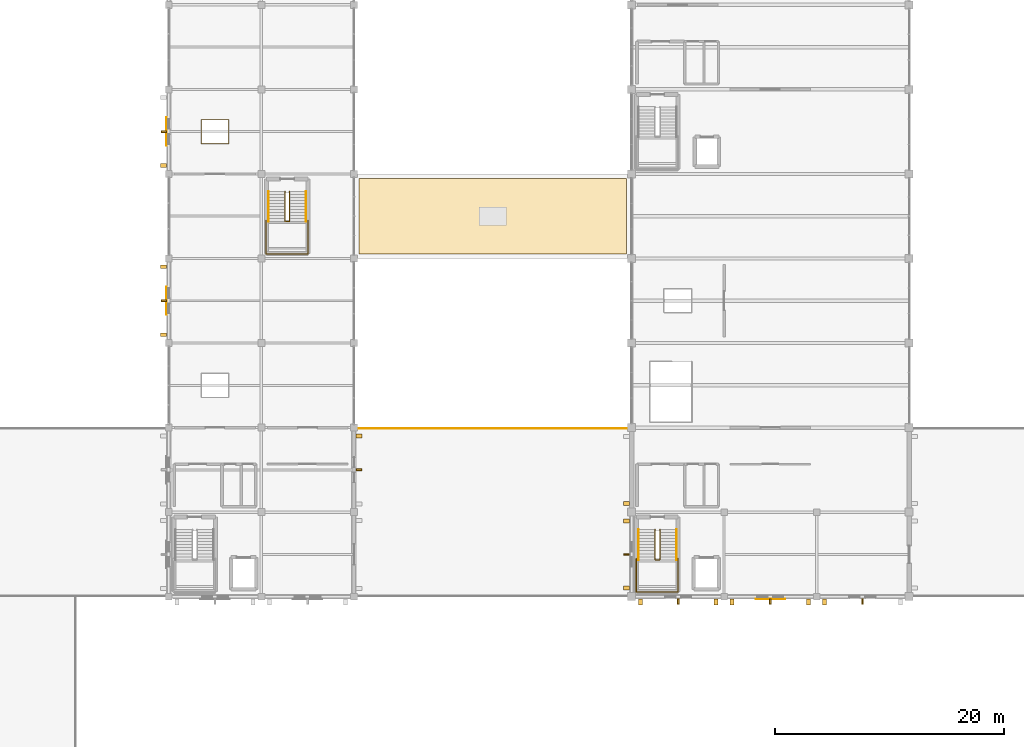
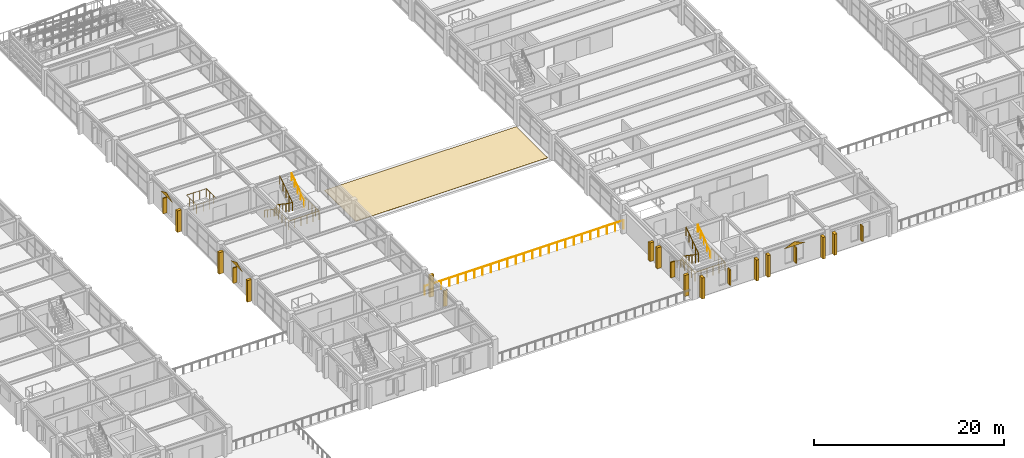
# One storey, part 113 of 121: 19 shading devices, 10 railings, 4 coverings.
"""IFC4 building model written with IfcOpenShell, lengths in metres."""

from ifc_helpers import new_model, si_unit, direction, frame, origin, origin_2d, place, context, subcontext, project, spatial, polyline, rectangle, circle, outline, extrude, material, layer, layer_set, type_object, element, save


model = new_model("IFC4")

# Units and contexts
model_context = context("Model", 3, precision=1e-05, world=origin(), true_north=direction((0.0, 1.0)))
body_context = subcontext(model_context, "Body", "Model", "MODEL_VIEW")
ifc_project = project(units=[si_unit("LENGTHUNIT", "METRE"), si_unit("AREAUNIT", "SQUARE_METRE"), si_unit("VOLUMEUNIT", "CUBIC_METRE"), si_unit("PLANEANGLEUNIT", "RADIAN"), si_unit("MASSUNIT", "GRAM", prefix="KILO")], contexts=[model_context])

# Site, building, storey
site_placement = place(None, origin())
site = spatial("IfcSite", under=ifc_project, at=site_placement, CompositionType="ELEMENT")
building_placement = place(site_placement, origin())
building = spatial("IfcBuilding", under=site, at=building_placement, Name="Cimatlan Art Gallery", CompositionType="ELEMENT")
storey_placement = place(building_placement, frame((0.0, 0.0, 10.199951171875)))
storey = spatial("IfcBuildingStorey", under=building, at=storey_placement, Name="L02", CompositionType="ELEMENT", Elevation=10.199951171875)

# Coverings
ifc_material_1 = material(Name="Queretaro cantera limestone ashlar hood-mould", Category="masonry")
ifc_layer_1 = layer(ifc_material_1, 0.0419921875)
ifc_layer_set_1 = layer_set([ifc_layer_1], Name="Queretaro cantera limestone ashlar hood-mould")
covering_type_1 = type_object("IfcCoveringType", Name="COV-CLAD-CANTERA-42", PredefinedType="CLADDING", material=ifc_layer_set_1)
for number, where, z_axis, x_axis, name in (
    (1, (34.221923828125, 48.56005859375, 2.6201171875), (1.0, 0.0, 0.0), (0.0, 1.0, 0.0), "CLD-049"),
    (2, (34.221923828125, 63.360107421875, 2.6201171875), (1.0, 0.0, 0.0), (0.0, 1.0, 0.0), "CLD-050"),
):
    element("IfcCovering", number, at=place(storey_placement, frame(where, z_axis=z_axis, x_axis=x_axis)), inside=storey, type_object=covering_type_1, Name=name, PredefinedType="CLADDING", context=body_context, shape_type="SweptSolid", body=[
        extrude(outline(polyline([(0.0, 0.0), (2.47998046875, 0.0), (1.239990234375, 0.52001953125), (0.0, 0.0)])), origin(), (0.0, 0.0, -1.0), 0.0419921875),
    ])
covering_1_placement = place(storey_placement, frame((88.330078125, 23.721923828125, 2.610107421875), z_axis=(0.0, 1.0, 0.0), x_axis=(-1.0, 0.0, 0.0)))
element("IfcCovering", 3, at=covering_1_placement, inside=storey, type_object=covering_type_1, Name="CLD-053", PredefinedType="CLADDING", context=body_context, shape_type="SweptSolid", body=[
    extrude(outline(polyline([(0.0, 0.0), (2.56005859375, 0.0), (1.280029296875, 0.52001953125), (0.0, 0.0)])), origin(), (0.0, 0.0, -1.0), 0.0419921875),
])
ifc_material_2 = material(Name="Standing-seam patinated zinc roofing")
ifc_layer_2 = layer(ifc_material_2, 0.02490234375)
ifc_layer_set_2 = layer_set([ifc_layer_2], Name="Standing-seam patinated zinc roofing")
covering_type_2 = type_object("IfcCoveringType", Name="COV-ROOF-ZINC-25", PredefinedType="ROOFING", material=ifc_layer_set_2)
covering_2_placement = place(storey_placement, frame((62.75, 57.199951171875, 0.0), z_axis=(0.0, 0.0, 1.0), x_axis=(1.0, 0.0, 0.0)))
element("IfcCovering", 4, at=covering_2_placement, inside=storey, type_object=covering_type_2, Name="RFG-BRG-SC", PredefinedType="ROOFING", context=body_context, shape_type="SweptSolid", body=[
    extrude(rectangle(XDim=23.39990234375, YDim=6.60009765625, at=origin_2d()), origin(), (0.0, 0.0, 1.0), 0.02490234375),
])

# Railings
ifc_material_3 = material(Name="Anodised bronze and laminated glass balustrade", Category="glass")
railing_type_1 = type_object("IfcRailingType", Name="RL-BAL-EXT-1100", PredefinedType="BALUSTRADE", material=ifc_material_3)
railing_1_placement = place(storey_placement, frame((50.639892578125, 38.6201171875, 0.0)))
element("IfcRailing", 5, at=railing_1_placement, inside=storey, type_object=railing_type_1, Name="GR-TER-09", PredefinedType="BALUSTRADE", context=body_context, shape_type="SweptSolid", body=[
    extrude(circle(Radius=0.02587890625, at=origin_2d()), frame((0.0, 0.0, 1.09423828125), z_axis=(1.0, 0.0, 0.0), x_axis=(0.0, 1.0, 0.0)), (0.0, 0.0, 1.0), 24.22021484375),
    extrude(circle(Radius=0.02099609375, at=origin_2d()), origin(), (0.0, 0.0, 1.0), 1.068115234375),
    extrude(circle(Radius=0.02099609375, at=origin_2d()), frame((1.00927734375, 0.0, 0.0)), (0.0, 0.0, 1.0), 1.068115234375),
    extrude(circle(Radius=0.02099609375, at=origin_2d()), frame((2.018310546875, 0.0, 0.0)), (0.0, 0.0, 1.0), 1.068115234375),
    extrude(circle(Radius=0.02099609375, at=origin_2d()), frame((3.027587890625, 0.0, 0.0)), (0.0, 0.0, 1.0), 1.068115234375),
    extrude(circle(Radius=0.02099609375, at=origin_2d()), frame((4.03662109375, 0.0, 0.0)), (0.0, 0.0, 1.0), 1.068115234375),
    extrude(circle(Radius=0.02099609375, at=origin_2d()), frame((5.0458984375, 0.0, 0.0)), (0.0, 0.0, 1.0), 1.068115234375),
    extrude(circle(Radius=0.02099609375, at=origin_2d()), frame((6.05517578125, 0.0, 0.0)), (0.0, 0.0, 1.0), 1.068115234375),
    extrude(circle(Radius=0.02099609375, at=origin_2d()), frame((7.064208984375, 0.0, 0.0)), (0.0, 0.0, 1.0), 1.068115234375),
    extrude(circle(Radius=0.02099609375, at=origin_2d()), frame((8.073486328125, 0.0, 0.0)), (0.0, 0.0, 1.0), 1.068115234375),
    extrude(circle(Radius=0.02099609375, at=origin_2d()), frame((9.08251953125, 0.0, 0.0)), (0.0, 0.0, 1.0), 1.068115234375),
    extrude(circle(Radius=0.02099609375, at=origin_2d()), frame((10.091796875, 0.0, 0.0)), (0.0, 0.0, 1.0), 1.068115234375),
    extrude(circle(Radius=0.02099609375, at=origin_2d()), frame((11.100830078125, 0.0, 0.0)), (0.0, 0.0, 1.0), 1.068115234375),
    extrude(circle(Radius=0.02099609375, at=origin_2d()), frame((12.110107421875, 0.0, 0.0)), (0.0, 0.0, 1.0), 1.068115234375),
    extrude(circle(Radius=0.02099609375, at=origin_2d()), frame((13.119384765625, 0.0, 0.0)), (0.0, 0.0, 1.0), 1.068115234375),
    extrude(circle(Radius=0.02099609375, at=origin_2d()), frame((14.12841796875, 0.0, 0.0)), (0.0, 0.0, 1.0), 1.068115234375),
    extrude(circle(Radius=0.02099609375, at=origin_2d()), frame((15.1376953125, 0.0, 0.0)), (0.0, 0.0, 1.0), 1.068115234375),
    extrude(circle(Radius=0.02099609375, at=origin_2d()), frame((16.146728515625, 0.0, 0.0)), (0.0, 0.0, 1.0), 1.068115234375),
    extrude(circle(Radius=0.02099609375, at=origin_2d()), frame((17.156005859375, 0.0, 0.0)), (0.0, 0.0, 1.0), 1.068115234375),
    extrude(circle(Radius=0.02099609375, at=origin_2d()), frame((18.1650390625, 0.0, 0.0)), (0.0, 0.0, 1.0), 1.068115234375),
    extrude(circle(Radius=0.02099609375, at=origin_2d()), frame((19.17431640625, 0.0, 0.0)), (0.0, 0.0, 1.0), 1.068115234375),
    extrude(circle(Radius=0.02099609375, at=origin_2d()), frame((20.18359375, 0.0, 0.0)), (0.0, 0.0, 1.0), 1.068115234375),
    extrude(circle(Radius=0.02099609375, at=origin_2d()), frame((21.192626953125, 0.0, 0.0)), (0.0, 0.0, 1.0), 1.068115234375),
    extrude(circle(Radius=0.02099609375, at=origin_2d()), frame((22.201904296875, 0.0, 0.0)), (0.0, 0.0, 1.0), 1.068115234375),
    extrude(circle(Radius=0.02099609375, at=origin_2d()), frame((23.2109375, 0.0, 0.0)), (0.0, 0.0, 1.0), 1.068115234375),
    extrude(circle(Radius=0.02099609375, at=origin_2d()), frame((24.22021484375, 0.0, 0.0)), (0.0, 0.0, 1.0), 1.068115234375),
])
ifc_material_4 = material(Name="Painted steel and bronze interior balustrade", Category="steel")
railing_type_2 = type_object("IfcRailingType", Name="RL-BAL-INT-1120", PredefinedType="BALUSTRADE", material=ifc_material_4)
railing_2_placement = place(storey_placement, frame((75.31005859375, 27.239990234375, 1.800048828125)))
element("IfcRailing", 6, at=railing_2_placement, inside=storey, type_object=railing_type_2, Name="STR-C3-L02-LGRD", PredefinedType="BALUSTRADE", context=body_context, shape_type="SweptSolid", body=[
    extrude(circle(Radius=0.02392578125, at=origin_2d()), frame((0.0, 0.0, 1.09619140625), z_axis=(0.0, -1.0, 0.0), x_axis=(1.0, 0.0, 0.0)), (0.0, 0.0, 1.0), 2.929931640625),
    extrude(circle(Radius=0.02392578125, at=origin_2d()), frame((0.0, -2.929931640625, 1.09619140625), z_axis=(1.0, 0.0, 0.0), x_axis=(0.0, 1.0, 0.0)), (0.0, 0.0, 1.0), 3.669921875),
    extrude(circle(Radius=0.02392578125, at=origin_2d()), frame((3.669921875, -2.929931640625, 1.09619140625), z_axis=(0.0, 1.0, 0.0), x_axis=(-1.0, 0.0, 0.0)), (0.0, 0.0, 1.0), 2.929931640625),
    extrude(circle(Radius=0.02001953125, at=origin_2d()), origin(), (0.0, 0.0, 1.0), 1.072021484375),
    extrude(circle(Radius=0.02001953125, at=origin_2d()), frame((0.0, -0.732421875, 0.0)), (0.0, 0.0, 1.0), 1.072021484375),
    extrude(circle(Radius=0.02001953125, at=origin_2d()), frame((0.0, -1.46484375, 0.0)), (0.0, 0.0, 1.0), 1.072021484375),
    extrude(circle(Radius=0.02001953125, at=origin_2d()), frame((0.0, -2.197509765625, 0.0)), (0.0, 0.0, 1.0), 1.072021484375),
    extrude(circle(Radius=0.02001953125, at=origin_2d()), frame((0.0, -2.929931640625, 0.0)), (0.0, 0.0, 1.0), 1.072021484375),
    extrude(circle(Radius=0.02001953125, at=origin_2d()), frame((0.73388671875, -2.929931640625, 0.0)), (0.0, 0.0, 1.0), 1.072021484375),
    extrude(circle(Radius=0.02001953125, at=origin_2d()), frame((1.468017578125, -2.929931640625, 0.0)), (0.0, 0.0, 1.0), 1.072021484375),
    extrude(circle(Radius=0.02001953125, at=origin_2d()), frame((2.201904296875, -2.929931640625, 0.0)), (0.0, 0.0, 1.0), 1.072021484375),
    extrude(circle(Radius=0.02001953125, at=origin_2d()), frame((2.93603515625, -2.929931640625, 0.0)), (0.0, 0.0, 1.0), 1.072021484375),
    extrude(circle(Radius=0.02001953125, at=origin_2d()), frame((3.669921875, -2.929931640625, 0.0)), (0.0, 0.0, 1.0), 1.072021484375),
    extrude(circle(Radius=0.02001953125, at=origin_2d()), frame((3.669921875, -2.197509765625, 0.0)), (0.0, 0.0, 1.0), 1.072021484375),
    extrude(circle(Radius=0.02001953125, at=origin_2d()), frame((3.669921875, -1.46484375, 0.0)), (0.0, 0.0, 1.0), 1.072021484375),
    extrude(circle(Radius=0.02001953125, at=origin_2d()), frame((3.669921875, -0.732421875, 0.0)), (0.0, 0.0, 1.0), 1.072021484375),
    extrude(circle(Radius=0.02001953125, at=origin_2d()), frame((3.669921875, 0.0, 0.0)), (0.0, 0.0, 1.0), 1.072021484375),
])
railing_3_placement = place(storey_placement, frame((76.969970703125, 29.780029296875, 0.0)))
element("IfcRailing", 7, at=railing_3_placement, inside=storey, type_object=railing_type_2, Name="STR-C3-L02-GRD", PredefinedType="BALUSTRADE", context=body_context, shape_type="SweptSolid", body=[
    extrude(circle(Radius=0.02392578125, at=origin_2d()), frame((0.0, 0.0, 1.09619140625), z_axis=(0.0, -0.827224042694, 0.561872212509), x_axis=(1.0, 0.0, 0.0)), (0.0, 0.0, 1.0), 3.20361328125),
    extrude(circle(Radius=0.02392578125, at=origin_2d()), frame((0.0, -2.650146484375, 2.89599609375), z_axis=(1.0, 0.0, 0.0), x_axis=(0.0, 1.0, 0.0)), (0.0, 0.0, 1.0), 0.400146484375),
    extrude(circle(Radius=0.02392578125, at=origin_2d()), frame((0.400146484375, -2.650146484375, 2.89599609375), z_axis=(0.0, 0.827224042694, 0.561872212509), x_axis=(-1.0, 0.0, 0.0)), (0.0, 0.0, 1.0), 3.20361328125),
    extrude(circle(Radius=0.02001953125, at=origin_2d()), origin(), (0.0, 0.0, 1.0), 1.072021484375),
    extrude(circle(Radius=0.02001953125, at=origin_2d()), frame((0.0, -0.66259765625, 0.449951171875)), (0.0, 0.0, 1.0), 1.072021484375),
    extrude(circle(Radius=0.02001953125, at=origin_2d()), frame((0.0, -1.3251953125, 0.89990234375)), (0.0, 0.0, 1.0), 1.072021484375),
    extrude(circle(Radius=0.02001953125, at=origin_2d()), frame((0.0, -1.987548828125, 1.35009765625)), (0.0, 0.0, 1.0), 1.072021484375),
    extrude(circle(Radius=0.02001953125, at=origin_2d()), frame((0.0, -2.650146484375, 1.800048828125)), (0.0, 0.0, 1.0), 1.072021484375),
    extrude(circle(Radius=0.02001953125, at=origin_2d()), frame((0.400146484375, -2.650146484375, 1.800048828125)), (0.0, 0.0, 1.0), 1.072021484375),
    extrude(circle(Radius=0.02001953125, at=origin_2d()), frame((0.400146484375, -1.987548828125, 2.25)), (0.0, 0.0, 1.0), 1.072021484375),
    extrude(circle(Radius=0.02001953125, at=origin_2d()), frame((0.400146484375, -1.3251953125, 2.7001953125)), (0.0, 0.0, 1.0), 1.072021484375),
    extrude(circle(Radius=0.02001953125, at=origin_2d()), frame((0.400146484375, -0.66259765625, 3.150146484375)), (0.0, 0.0, 1.0), 1.072021484375),
    extrude(circle(Radius=0.02001953125, at=origin_2d()), frame((0.400146484375, 0.0, 3.60009765625)), (0.0, 0.0, 1.0), 1.072021484375),
])
railing_4_placement = place(storey_placement, frame((42.909912109375, 56.840087890625, 1.800048828125)))
element("IfcRailing", 8, at=railing_4_placement, inside=storey, type_object=railing_type_2, Name="STR-C8-L02-LGRD", PredefinedType="BALUSTRADE", context=body_context, shape_type="SweptSolid", body=[
    extrude(circle(Radius=0.02392578125, at=origin_2d()), frame((0.0, 0.0, 1.09619140625), z_axis=(0.0, -1.0, 0.0), x_axis=(1.0, 0.0, 0.0)), (0.0, 0.0, 1.0), 2.93017578125),
    extrude(circle(Radius=0.02392578125, at=origin_2d()), frame((0.0, -2.93017578125, 1.09619140625), z_axis=(1.0, 0.0, 0.0), x_axis=(0.0, 1.0, 0.0)), (0.0, 0.0, 1.0), 3.670166015625),
    extrude(circle(Radius=0.02392578125, at=origin_2d()), frame((3.670166015625, -2.93017578125, 1.09619140625), z_axis=(0.0, 1.0, 0.0), x_axis=(-1.0, 0.0, 0.0)), (0.0, 0.0, 1.0), 2.93017578125),
    extrude(circle(Radius=0.02001953125, at=origin_2d()), origin(), (0.0, 0.0, 1.0), 1.072021484375),
    extrude(circle(Radius=0.02001953125, at=origin_2d()), frame((0.0, -0.732421875, 0.0)), (0.0, 0.0, 1.0), 1.072021484375),
    extrude(circle(Radius=0.02001953125, at=origin_2d()), frame((0.0, -1.465087890625, 0.0)), (0.0, 0.0, 1.0), 1.072021484375),
    extrude(circle(Radius=0.02001953125, at=origin_2d()), frame((0.0, -2.19775390625, 0.0)), (0.0, 0.0, 1.0), 1.072021484375),
    extrude(circle(Radius=0.02001953125, at=origin_2d()), frame((0.0, -2.93017578125, 0.0)), (0.0, 0.0, 1.0), 1.072021484375),
    extrude(circle(Radius=0.02001953125, at=origin_2d()), frame((0.734130859375, -2.93017578125, 0.0)), (0.0, 0.0, 1.0), 1.072021484375),
    extrude(circle(Radius=0.02001953125, at=origin_2d()), frame((1.468017578125, -2.93017578125, 0.0)), (0.0, 0.0, 1.0), 1.072021484375),
    extrude(circle(Radius=0.02001953125, at=origin_2d()), frame((2.2021484375, -2.93017578125, 0.0)), (0.0, 0.0, 1.0), 1.072021484375),
    extrude(circle(Radius=0.02001953125, at=origin_2d()), frame((2.93603515625, -2.93017578125, 0.0)), (0.0, 0.0, 1.0), 1.072021484375),
    extrude(circle(Radius=0.02001953125, at=origin_2d()), frame((3.670166015625, -2.93017578125, 0.0)), (0.0, 0.0, 1.0), 1.072021484375),
    extrude(circle(Radius=0.02001953125, at=origin_2d()), frame((3.670166015625, -2.19775390625, 0.0)), (0.0, 0.0, 1.0), 1.072021484375),
    extrude(circle(Radius=0.02001953125, at=origin_2d()), frame((3.670166015625, -1.465087890625, 0.0)), (0.0, 0.0, 1.0), 1.072021484375),
    extrude(circle(Radius=0.02001953125, at=origin_2d()), frame((3.670166015625, -0.732421875, 0.0)), (0.0, 0.0, 1.0), 1.072021484375),
    extrude(circle(Radius=0.02001953125, at=origin_2d()), frame((3.670166015625, 0.0, 0.0)), (0.0, 0.0, 1.0), 1.072021484375),
])
railing_5_placement = place(storey_placement, frame((44.570068359375, 59.3798828125, 0.0)))
element("IfcRailing", 9, at=railing_5_placement, inside=storey, type_object=railing_type_2, Name="STR-C8-L02-GRD", PredefinedType="BALUSTRADE", context=body_context, shape_type="SweptSolid", body=[
    extrude(circle(Radius=0.02392578125, at=origin_2d()), frame((0.0, 0.0, 1.09619140625), z_axis=(0.0, -0.827199981925, 0.561907634672), x_axis=(1.0, 0.0, 0.0)), (0.0, 0.0, 1.0), 3.203369140625),
    extrude(circle(Radius=0.02392578125, at=origin_2d()), frame((0.0, -2.64990234375, 2.89599609375), z_axis=(1.0, 0.0, 0.0), x_axis=(0.0, 1.0, 0.0)), (0.0, 0.0, 1.0), 0.39990234375),
    extrude(circle(Radius=0.02392578125, at=origin_2d()), frame((0.39990234375, -2.64990234375, 2.89599609375), z_axis=(0.0, 0.827199981925, 0.561907634672), x_axis=(-1.0, 0.0, 0.0)), (0.0, 0.0, 1.0), 3.203369140625),
    extrude(circle(Radius=0.02001953125, at=origin_2d()), origin(), (0.0, 0.0, 1.0), 1.072021484375),
    extrude(circle(Radius=0.02001953125, at=origin_2d()), frame((0.0, -0.66259765625, 0.449951171875)), (0.0, 0.0, 1.0), 1.072021484375),
    extrude(circle(Radius=0.02001953125, at=origin_2d()), frame((0.0, -1.324951171875, 0.89990234375)), (0.0, 0.0, 1.0), 1.072021484375),
    extrude(circle(Radius=0.02001953125, at=origin_2d()), frame((0.0, -1.9873046875, 1.35009765625)), (0.0, 0.0, 1.0), 1.072021484375),
    extrude(circle(Radius=0.02001953125, at=origin_2d()), frame((0.0, -2.64990234375, 1.800048828125)), (0.0, 0.0, 1.0), 1.072021484375),
    extrude(circle(Radius=0.02001953125, at=origin_2d()), frame((0.39990234375, -2.64990234375, 1.800048828125)), (0.0, 0.0, 1.0), 1.072021484375),
    extrude(circle(Radius=0.02001953125, at=origin_2d()), frame((0.39990234375, -1.9873046875, 2.25)), (0.0, 0.0, 1.0), 1.072021484375),
    extrude(circle(Radius=0.02001953125, at=origin_2d()), frame((0.39990234375, -1.324951171875, 2.7001953125)), (0.0, 0.0, 1.0), 1.072021484375),
    extrude(circle(Radius=0.02001953125, at=origin_2d()), frame((0.39990234375, -0.66259765625, 3.150146484375)), (0.0, 0.0, 1.0), 1.072021484375),
    extrude(circle(Radius=0.02001953125, at=origin_2d()), frame((0.39990234375, 0.0, 3.60009765625)), (0.0, 0.0, 1.0), 1.072021484375),
])
railing_6_placement = place(storey_placement, frame((37.239990234375, 63.5400390625, 0.0)))
element("IfcRailing", 10, at=railing_6_placement, inside=storey, type_object=railing_type_2, Name="GR-OCU-L02-B2N", PredefinedType="BALUSTRADE", context=body_context, shape_type="SweptSolid", body=[
    extrude(circle(Radius=0.02392578125, at=origin_2d()), frame((0.0, 0.0, 1.09619140625), z_axis=(1.0, 0.0, 0.0), x_axis=(0.0, 1.0, 0.0)), (0.0, 0.0, 1.0), 2.419921875),
    extrude(circle(Radius=0.02392578125, at=origin_2d()), frame((2.419921875, 0.0, 1.09619140625), z_axis=(0.0, 1.0, 0.0), x_axis=(-1.0, 0.0, 0.0)), (0.0, 0.0, 1.0), 2.119873046875),
    extrude(circle(Radius=0.02392578125, at=origin_2d()), frame((2.419921875, 2.119873046875, 1.09619140625), z_axis=(-1.0, 0.0, 0.0), x_axis=(0.0, -1.0, 0.0)), (0.0, 0.0, 1.0), 2.419921875),
    extrude(circle(Radius=0.02392578125, at=origin_2d()), frame((0.0, 2.119873046875, 1.09619140625), z_axis=(0.0, -1.0, 0.0), x_axis=(1.0, 0.0, 0.0)), (0.0, 0.0, 1.0), 2.079833984375),
    extrude(circle(Radius=0.02001953125, at=origin_2d()), origin(), (0.0, 0.0, 1.0), 1.072021484375),
    extrude(circle(Radius=0.02001953125, at=origin_2d()), frame((0.806640625, 0.0, 0.0)), (0.0, 0.0, 1.0), 1.072021484375),
    extrude(circle(Radius=0.02001953125, at=origin_2d()), frame((1.61328125, 0.0, 0.0)), (0.0, 0.0, 1.0), 1.072021484375),
    extrude(circle(Radius=0.02001953125, at=origin_2d()), frame((2.419921875, 0.0, 0.0)), (0.0, 0.0, 1.0), 1.072021484375),
    extrude(circle(Radius=0.02001953125, at=origin_2d()), frame((2.419921875, 0.70654296875, 0.0)), (0.0, 0.0, 1.0), 1.072021484375),
    extrude(circle(Radius=0.02001953125, at=origin_2d()), frame((2.419921875, 1.413330078125, 0.0)), (0.0, 0.0, 1.0), 1.072021484375),
    extrude(circle(Radius=0.02001953125, at=origin_2d()), frame((2.419921875, 2.119873046875, 0.0)), (0.0, 0.0, 1.0), 1.072021484375),
    extrude(circle(Radius=0.02001953125, at=origin_2d()), frame((1.61328125, 2.119873046875, 0.0)), (0.0, 0.0, 1.0), 1.072021484375),
    extrude(circle(Radius=0.02001953125, at=origin_2d()), frame((0.806640625, 2.119873046875, 0.0)), (0.0, 0.0, 1.0), 1.072021484375),
    extrude(circle(Radius=0.02001953125, at=origin_2d()), frame((0.0, 2.119873046875, 0.0)), (0.0, 0.0, 1.0), 1.072021484375),
    extrude(circle(Radius=0.02001953125, at=origin_2d()), frame((0.0, 1.426513671875, 0.0)), (0.0, 0.0, 1.0), 1.072021484375),
    extrude(circle(Radius=0.02001953125, at=origin_2d()), frame((0.0, 0.7333984375, 0.0)), (0.0, 0.0, 1.0), 1.072021484375),
    extrude(circle(Radius=0.02001953125, at=origin_2d()), frame((0.0, 0.0400390625, 0.0)), (0.0, 0.0, 1.0), 1.072021484375),
])
ifc_material_5 = material(Name="Brushed bronze stair handrail")
railing_type_3 = type_object("IfcRailingType", Name="RL-HND-INT-920", PredefinedType="HANDRAIL", material=ifc_material_5)
railing_7_placement = place(storey_placement, frame((75.510009765625, 29.780029296875, 0.0)))
element("IfcRailing", 11, at=railing_7_placement, inside=storey, type_object=railing_type_3, Name="STR-C3-L02-HR1", PredefinedType="HANDRAIL", context=body_context, shape_type="SweptSolid", body=[
    extrude(circle(Radius=0.02197265625, at=origin_2d()), frame((0.0, 0.0, 0.89794921875), z_axis=(0.0, -0.827224042694, 0.561872212509), x_axis=(1.0, 0.0, 0.0)), (0.0, 0.0, 1.0), 3.20361328125),
    extrude(circle(Radius=0.01904296875, at=origin_2d()), origin(), (0.0, 0.0, 1.0), 0.8759765625),
    extrude(circle(Radius=0.01904296875, at=origin_2d()), frame((0.0, -0.66259765625, 0.449951171875)), (0.0, 0.0, 1.0), 0.8759765625),
    extrude(circle(Radius=0.01904296875, at=origin_2d()), frame((0.0, -1.3251953125, 0.89990234375)), (0.0, 0.0, 1.0), 0.8759765625),
    extrude(circle(Radius=0.01904296875, at=origin_2d()), frame((0.0, -1.987548828125, 1.35009765625)), (0.0, 0.0, 1.0), 0.8759765625),
    extrude(circle(Radius=0.01904296875, at=origin_2d()), frame((0.0, -2.650146484375, 1.800048828125)), (0.0, 0.0, 1.0), 0.8759765625),
])
railing_8_placement = place(storey_placement, frame((78.830078125, 27.1298828125, 1.800048828125)))
element("IfcRailing", 12, at=railing_8_placement, inside=storey, type_object=railing_type_3, Name="STR-C3-L02-HR2", PredefinedType="HANDRAIL", context=body_context, shape_type="SweptSolid", body=[
    extrude(circle(Radius=0.02197265625, at=origin_2d()), frame((0.0, 0.0, 0.89794921875), z_axis=(0.0, 0.827224042694, 0.561872212509), x_axis=(-1.0, 0.0, 0.0)), (0.0, 0.0, 1.0), 3.20361328125),
    extrude(circle(Radius=0.01904296875, at=origin_2d()), origin(), (0.0, 0.0, 1.0), 0.8759765625),
    extrude(circle(Radius=0.01904296875, at=origin_2d()), frame((0.0, 0.66259765625, 0.449951171875)), (0.0, 0.0, 1.0), 0.8759765625),
    extrude(circle(Radius=0.01904296875, at=origin_2d()), frame((0.0, 1.3251953125, 0.89990234375)), (0.0, 0.0, 1.0), 0.8759765625),
    extrude(circle(Radius=0.01904296875, at=origin_2d()), frame((0.0, 1.987548828125, 1.35009765625)), (0.0, 0.0, 1.0), 0.8759765625),
    extrude(circle(Radius=0.01904296875, at=origin_2d()), frame((0.0, 2.650146484375, 1.800048828125)), (0.0, 0.0, 1.0), 0.8759765625),
])
railing_9_placement = place(storey_placement, frame((43.110107421875, 59.3798828125, 0.0)))
element("IfcRailing", 13, at=railing_9_placement, inside=storey, type_object=railing_type_3, Name="STR-C8-L02-HR1", PredefinedType="HANDRAIL", context=body_context, shape_type="SweptSolid", body=[
    extrude(circle(Radius=0.02197265625, at=origin_2d()), frame((0.0, 0.0, 0.89794921875), z_axis=(0.0, -0.827199981925, 0.561907634672), x_axis=(1.0, 0.0, 0.0)), (0.0, 0.0, 1.0), 3.203369140625),
    extrude(circle(Radius=0.01904296875, at=origin_2d()), origin(), (0.0, 0.0, 1.0), 0.8759765625),
    extrude(circle(Radius=0.01904296875, at=origin_2d()), frame((0.0, -0.66259765625, 0.449951171875)), (0.0, 0.0, 1.0), 0.8759765625),
    extrude(circle(Radius=0.01904296875, at=origin_2d()), frame((0.0, -1.324951171875, 0.89990234375)), (0.0, 0.0, 1.0), 0.8759765625),
    extrude(circle(Radius=0.01904296875, at=origin_2d()), frame((0.0, -1.9873046875, 1.35009765625)), (0.0, 0.0, 1.0), 0.8759765625),
    extrude(circle(Radius=0.01904296875, at=origin_2d()), frame((0.0, -2.64990234375, 1.800048828125)), (0.0, 0.0, 1.0), 0.8759765625),
])
railing_10_placement = place(storey_placement, frame((46.429931640625, 56.72998046875, 1.800048828125)))
element("IfcRailing", 14, at=railing_10_placement, inside=storey, type_object=railing_type_3, Name="STR-C8-L02-HR2", PredefinedType="HANDRAIL", context=body_context, shape_type="SweptSolid", body=[
    extrude(circle(Radius=0.02197265625, at=origin_2d()), frame((0.0, 0.0, 0.89794921875), z_axis=(0.0, 0.827199981925, 0.561907634672), x_axis=(-1.0, 0.0, 0.0)), (0.0, 0.0, 1.0), 3.203369140625),
    extrude(circle(Radius=0.01904296875, at=origin_2d()), origin(), (0.0, 0.0, 1.0), 0.8759765625),
    extrude(circle(Radius=0.01904296875, at=origin_2d()), frame((0.0, 0.66259765625, 0.449951171875)), (0.0, 0.0, 1.0), 0.8759765625),
    extrude(circle(Radius=0.01904296875, at=origin_2d()), frame((0.0, 1.324951171875, 0.89990234375)), (0.0, 0.0, 1.0), 0.8759765625),
    extrude(circle(Radius=0.01904296875, at=origin_2d()), frame((0.0, 1.9873046875, 1.35009765625)), (0.0, 0.0, 1.0), 0.8759765625),
    extrude(circle(Radius=0.01904296875, at=origin_2d()), frame((0.0, 2.64990234375, 1.800048828125)), (0.0, 0.0, 1.0), 0.8759765625),
])

# Shading devices
ifc_material_6 = material(Name="Queretaro cantera limestone buttress pilaster", Category="masonry")
shading_device_type_1 = type_object("IfcShadingDeviceType", Name="SHD-BUT-520", PredefinedType="USERDEFINED", material=ifc_material_6)
for number, where, z_axis, x_axis, name in (
    (15, (33.94189453125, 46.823974609375, 0.06005859375), (0.0, 0.0, 1.0), (0.0, 1.0, 0.0), "BUT-0255"),
    (16, (33.94189453125, 52.77587890625, 0.06005859375), (0.0, 0.0, 1.0), (0.0, 1.0, 0.0), "BUT-0256"),
    (17, (33.94189453125, 61.6240234375, 0.06005859375), (0.0, 0.0, 1.0), (0.0, 1.0, 0.0), "BUT-0257"),
    (18, (51.05810546875, 37.97607421875, 0.06005859375), (0.0, 0.0, 1.0), (0.0, -1.0, 0.0), "BUT-0267"),
):
    element("IfcShadingDevice", number, at=place(storey_placement, frame(where, z_axis=z_axis, x_axis=x_axis)), inside=storey, type_object=shading_device_type_1, Name=name, ObjectType="FIN", PredefinedType="USERDEFINED", context=body_context, shape_type="SweptSolid", body=[
        extrude(rectangle(XDim=0.340087890625, YDim=0.52001953125, at=origin_2d()), origin(), (0.0, 0.0, 1.0), 2.778076171875),
    ])
for number, where, z_axis, x_axis, name in (
    (19, (82.301025390625, 23.44189453125, 0.06005859375), (0.0, 0.0, 1.0), (-1.0, 0.0, 0.0), "BUT-0271"),
    (20, (75.674072265625, 23.44189453125, 0.06005859375), (0.0, 0.0, 1.0), (-1.0, 0.0, 0.0), "BUT-0272"),
    (21, (74.44189453125, 24.674072265625, 0.06005859375), (0.0, 0.0, 1.0), (0.0, 1.0, 0.0), "BUT-0273"),
    (22, (74.44189453125, 30.52587890625, 0.06005859375), (0.0, 0.0, 1.0), (0.0, 1.0, 0.0), "BUT-0274"),
):
    element("IfcShadingDevice", number, at=place(storey_placement, frame(where, z_axis=z_axis, x_axis=x_axis)), inside=storey, type_object=shading_device_type_1, Name=name, ObjectType="FIN", PredefinedType="USERDEFINED", context=body_context, shape_type="SweptSolid", body=[
        extrude(rectangle(XDim=0.340087890625, YDim=0.52001953125, at=origin_2d()), origin(), (0.0, 0.0, 1.0), 2.701904296875),
    ])
shading_device_1_placement = place(storey_placement, frame((74.44189453125, 32.073974609375, 0.06005859375), z_axis=(0.0, 0.0, 1.0), x_axis=(0.0, 1.0, 0.0)))
element("IfcShadingDevice", 23, at=shading_device_1_placement, inside=storey, type_object=shading_device_type_1, Name="BUT-0275", ObjectType="FIN", PredefinedType="USERDEFINED", context=body_context, shape_type="SweptSolid", body=[
    extrude(rectangle(XDim=0.340087890625, YDim=0.52001953125, at=origin_2d()), origin(), (0.0, 0.0, 1.0), 2.388916015625),
])
for number, where, z_axis, x_axis, name in (
    (24, (90.40087890625, 23.44189453125, 0.06005859375), (0.0, 0.0, 1.0), (-1.0, 0.0, 0.0), "BUT-0279"),
    (25, (83.698974609375, 23.44189453125, 0.06005859375), (0.0, 0.0, 1.0), (-1.0, 0.0, 0.0), "BUT-0280"),
):
    element("IfcShadingDevice", number, at=place(storey_placement, frame(where, z_axis=z_axis, x_axis=x_axis)), inside=storey, type_object=shading_device_type_1, Name=name, ObjectType="FIN", PredefinedType="USERDEFINED", context=body_context, shape_type="SweptSolid", body=[
        extrude(rectangle(XDim=0.340087890625, YDim=0.52001953125, at=origin_2d()), origin(), (0.0, 0.0, 1.0), 2.778076171875),
    ])
shading_device_2_placement = place(storey_placement, frame((91.799072265625, 23.44189453125, 0.06005859375), z_axis=(0.0, 0.0, 1.0), x_axis=(-1.0, 0.0, 0.0)))
element("IfcShadingDevice", 26, at=shading_device_2_placement, inside=storey, type_object=shading_device_type_1, Name="BUT-0284", ObjectType="FIN", PredefinedType="USERDEFINED", context=body_context, shape_type="SweptSolid", body=[
    extrude(rectangle(XDim=0.340087890625, YDim=0.52001953125, at=origin_2d()), origin(), (0.0, 0.0, 1.0), 2.701904296875),
])
ifc_material_7 = material(Name="Queretaro cantera limestone lancet mullion fin", Category="masonry")
shading_device_type_2 = type_object("IfcShadingDeviceType", Name="SHD-FIN-480", PredefinedType="USERDEFINED", material=ifc_material_7)
for number, where, z_axis, x_axis, name in (
    (27, (33.9619140625, 49.800048828125, 0.60009765625), (0.0, 0.0, 1.0), (0.0, 1.0, 0.0), "FIN-071"),
    (28, (33.9619140625, 64.60009765625, 0.60009765625), (0.0, 0.0, 1.0), (0.0, 1.0, 0.0), "FIN-072"),
):
    element("IfcShadingDevice", number, at=place(storey_placement, frame(where, z_axis=z_axis, x_axis=x_axis)), inside=storey, type_object=shading_device_type_2, Name=name, ObjectType="FIN", PredefinedType="USERDEFINED", context=body_context, shape_type="SweptSolid", body=[
        extrude(rectangle(XDim=0.159912109375, YDim=0.47998046875, at=origin_2d()), origin(), (0.0, 0.0, 1.0), 1.989990234375),
    ])
shading_device_3_placement = place(storey_placement, frame((51.0380859375, 35.0, 0.60009765625), z_axis=(0.0, 0.0, 1.0), x_axis=(0.0, -1.0, 0.0)))
element("IfcShadingDevice", 29, at=shading_device_3_placement, inside=storey, type_object=shading_device_type_2, Name="FIN-076", ObjectType="FIN", PredefinedType="USERDEFINED", context=body_context, shape_type="SweptSolid", body=[
    extrude(rectangle(XDim=0.159912109375, YDim=0.47998046875, at=origin_2d()), origin(), (0.0, 0.0, 1.0), 2.050048828125),
])
shading_device_4_placement = place(storey_placement, frame((78.987548828125, 23.4619140625, 0.60009765625), z_axis=(0.0, 0.0, 1.0), x_axis=(-1.0, 0.0, 0.0)))
element("IfcShadingDevice", 30, at=shading_device_4_placement, inside=storey, type_object=shading_device_type_2, Name="FIN-077", ObjectType="FIN", PredefinedType="USERDEFINED", context=body_context, shape_type="SweptSolid", body=[
    extrude(rectangle(XDim=0.159912109375, YDim=0.47998046875, at=origin_2d()), origin(), (0.0, 0.0, 1.0), 1.97998046875),
])
shading_device_5_placement = place(storey_placement, frame((74.4619140625, 27.60009765625, 0.60009765625), z_axis=(0.0, 0.0, 1.0), x_axis=(0.0, 1.0, 0.0)))
element("IfcShadingDevice", 31, at=shading_device_5_placement, inside=storey, type_object=shading_device_type_2, Name="FIN-078", ObjectType="FIN", PredefinedType="USERDEFINED", context=body_context, shape_type="SweptSolid", body=[
    extrude(rectangle(XDim=0.159912109375, YDim=0.47998046875, at=origin_2d()), origin(), (0.0, 0.0, 1.0), 2.0),
])
for number, where, z_axis, x_axis, name in (
    (32, (87.050048828125, 23.4619140625, 0.60009765625), (0.0, 0.0, 1.0), (-1.0, 0.0, 0.0), "FIN-079"),
    (33, (95.112548828125, 23.4619140625, 0.60009765625), (0.0, 0.0, 1.0), (-1.0, 0.0, 0.0), "FIN-080"),
):
    element("IfcShadingDevice", number, at=place(storey_placement, frame(where, z_axis=z_axis, x_axis=x_axis)), inside=storey, type_object=shading_device_type_2, Name=name, ObjectType="FIN", PredefinedType="USERDEFINED", context=body_context, shape_type="SweptSolid", body=[
        extrude(rectangle(XDim=0.159912109375, YDim=0.47998046875, at=origin_2d()), origin(), (0.0, 0.0, 1.0), 1.97998046875),
    ])

save(model, "model.ifc")
